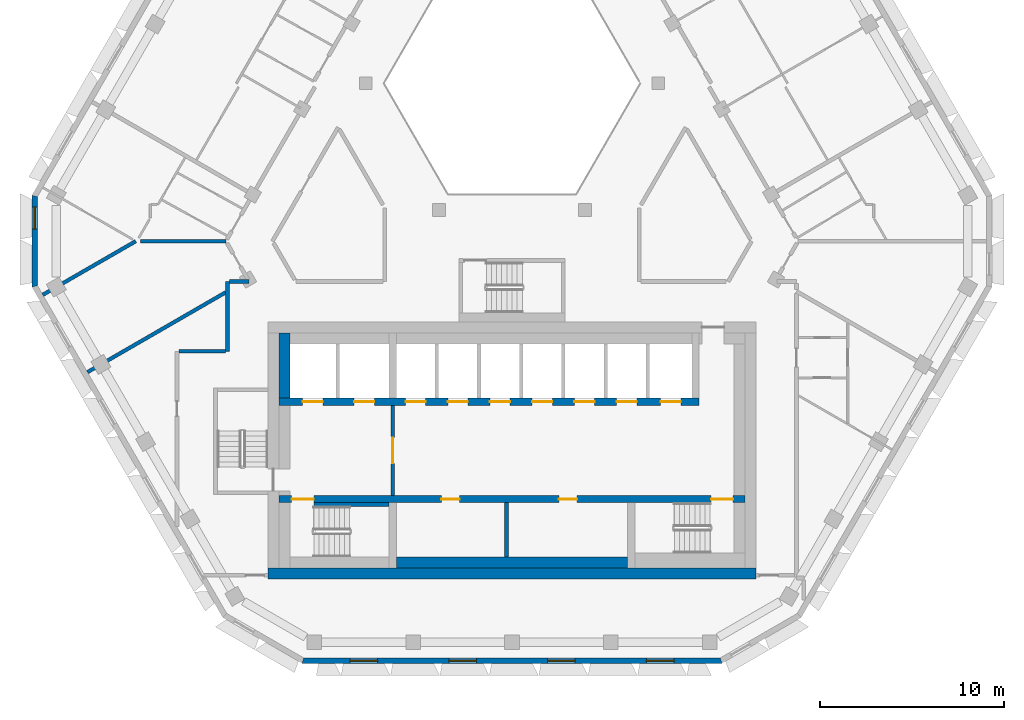
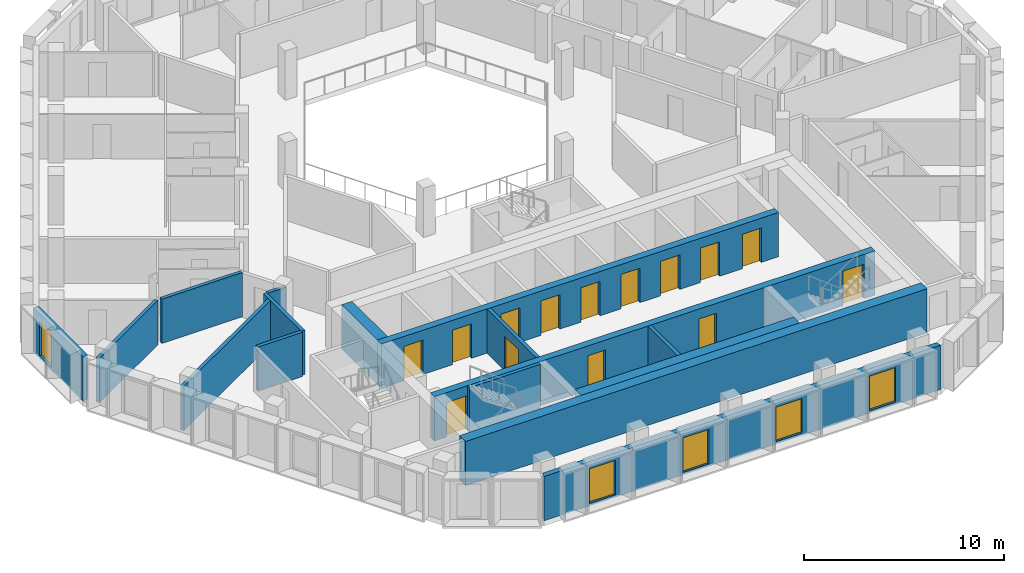
# One storey, part 3 of 14: 16 walls, 14 doors, 5 windows, 19 openings.
"""IFC4 building model written with IfcOpenShell, lengths in metres."""

from ifc_helpers import new_model, si_unit, direction, frame, frame_2d, origin, place, context, subcontext, project, spatial, polyline, rectangle, outline, extrude, material, layer, layer_set, type_object, element, fill, save


model = new_model("IFC4")

# Units and contexts
model_context = context("Model", 3, precision=1e-05, world=origin(), true_north=direction((0.0, 1.0)))
body_context = subcontext(model_context, "Body", "Model", "MODEL_VIEW")
ifc_project = project(units=[si_unit("LENGTHUNIT", "METRE"), si_unit("AREAUNIT", "SQUARE_METRE"), si_unit("VOLUMEUNIT", "CUBIC_METRE"), si_unit("PLANEANGLEUNIT", "RADIAN"), si_unit("MASSUNIT", "GRAM", prefix="KILO")], contexts=[model_context])

# Site, building, storey
site_placement = place(None, origin())
site = spatial("IfcSite", under=ifc_project, at=site_placement, CompositionType="ELEMENT")
building_placement = place(site_placement, origin())
building = spatial("IfcBuilding", under=site, at=building_placement, Name="Beryl Residences", CompositionType="ELEMENT")
storey_placement = place(building_placement, frame((0.0, 0.0, 181.199951171875)))
storey = spatial("IfcBuildingStorey", under=building, at=storey_placement, Name="L55", CompositionType="ELEMENT", Elevation=181.199951171875)

# Wall, opening, window
ifc_material_1 = material(Name="Composite metal panel with mineral wool insulation")
ifc_layer_1 = layer(ifc_material_1, 0.300048828125)
ifc_layer_set_1 = layer_set([ifc_layer_1], Name="ES1 pale metal composite panel wall 300 mm")
wall_type_1 = type_object("IfcWallType", Name="ES1 pale metal composite panel wall 300 mm", PredefinedType="SOLIDWALL", material=ifc_layer_set_1)
wall_1_placement = place(storey_placement, frame((-26.00390625, 1.89990234375, 0.0), z_axis=(0.0, 0.0, 1.0), x_axis=(0.0, -1.0, 0.0)))
wall_1 = element("IfcWall", 1, at=wall_1_placement, inside=storey, type_object=wall_type_1, Name="ES1 external wall L55 NW-SW", PredefinedType="SOLIDWALL", context=body_context, shape_type="SweptSolid", body=[
    extrude(outline(polyline([(0.0, -0.14990234375), (5.0, -0.14990234375), (4.919677734375, 0.14990234375), (0.080322265625, 0.14990234375), (0.0, -0.14990234375)])), origin(), (0.0, 0.0, 1.0), 2.699951171875),
])
opening_1_placement = place(wall_1_placement, frame((0.64990234375, 0.0, 0.14990234375)))
opening_1 = element("IfcOpeningElement", 2, at=opening_1_placement, cuts=wall_1, Name="Opening W2", PredefinedType="OPENING", context=body_context, shape_type="SweptSolid", body=[
    extrude(rectangle(XDim=1.199951171875, YDim=2.10009765625, at=frame_2d((0.60009765625, 1.050048828125))), frame((0.0, 0.159912109375, 0.0), z_axis=(0.0, -1.0, 0.0), x_axis=(1.0, 0.0, 0.0)), (0.0, 0.0, 1.0), 0.320068359375),
])
ifc_material_2 = material(Name="Aluminium and clear glass", Category="aluminium")
window_type_1 = type_object("IfcWindowType", Name="W2 chamfer window 1200 x 2100 mm", PartitioningType="SINGLE_PANEL", PredefinedType="WINDOW", material=ifc_material_2)
window_1_placement = place(opening_1_placement, origin())
window_1 = element("IfcWindow", 3, at=window_1_placement, inside=storey, type_object=window_type_1, Name="W2 window L55 NW-SW 1", OverallHeight=2.10009765625, OverallWidth=1.199951171875, PartitioningType="SINGLE_PANEL", PredefinedType="WINDOW", context=body_context, shape_type="SweptSolid", body=[
    extrude(rectangle(XDim=1.199951171875, YDim=2.10009765625, at=frame_2d((0.60009765625, 1.050048828125))), frame((0.0, 0.030029296875, 0.0), z_axis=(0.0, -1.0, 0.0), x_axis=(1.0, 0.0, 0.0)), (0.0, 0.0, 1.0), 0.06005859375),
])
fill(opening_1, window_1)

# Wall, openings, windows
wall_2_placement = place(storey_placement, frame((-11.430908203125, -23.449951171875, 0.0), z_axis=(0.0, 0.0, 1.0), x_axis=(1.0, 0.0, 0.0)))
wall_2 = element("IfcWall", 4, at=wall_2_placement, inside=storey, type_object=wall_type_1, Name="ES1 external wall L55 S", PredefinedType="SOLIDWALL", context=body_context, shape_type="SweptSolid", body=[
    extrude(outline(polyline([(0.0, -0.14990234375), (22.86181640625, -0.14990234375), (22.781494140625, 0.14990234375), (0.080322265625, 0.14990234375), (0.0, -0.14990234375)])), origin(), (0.0, 0.0, 1.0), 2.699951171875),
])
opening_2_placement = place(wall_2_placement, frame((2.60595703125, 0.0, 0.14990234375)))
opening_2 = element("IfcOpeningElement", 5, at=opening_2_placement, cuts=wall_2, Name="Opening W1", PredefinedType="OPENING", context=body_context, shape_type="SweptSolid", body=[
    extrude(rectangle(XDim=1.5, YDim=2.10009765625, at=frame_2d((0.75, 1.050048828125))), frame((0.0, 0.159912109375, 0.0), z_axis=(0.0, -1.0, 0.0), x_axis=(1.0, 0.0, 0.0)), (0.0, 0.0, 1.0), 0.320068359375),
])
opening_3_placement = place(wall_2_placement, frame((7.989990234375, 0.0, 0.14990234375)))
opening_3 = element("IfcOpeningElement", 6, at=opening_3_placement, cuts=wall_2, Name="Opening W1", PredefinedType="OPENING", context=body_context, shape_type="SweptSolid", body=[
    extrude(rectangle(XDim=1.5, YDim=2.10009765625, at=frame_2d((0.75, 1.050048828125))), frame((0.0, 0.159912109375, 0.0), z_axis=(0.0, -1.0, 0.0), x_axis=(1.0, 0.0, 0.0)), (0.0, 0.0, 1.0), 0.320068359375),
])
opening_4_placement = place(wall_2_placement, frame((13.3740234375, 0.0, 0.14990234375)))
opening_4 = element("IfcOpeningElement", 7, at=opening_4_placement, cuts=wall_2, Name="Opening W1", PredefinedType="OPENING", context=body_context, shape_type="SweptSolid", body=[
    extrude(rectangle(XDim=1.5, YDim=2.10009765625, at=frame_2d((0.75, 1.050048828125))), frame((0.0, 0.159912109375, 0.0), z_axis=(0.0, -1.0, 0.0), x_axis=(1.0, 0.0, 0.0)), (0.0, 0.0, 1.0), 0.320068359375),
])
opening_5_placement = place(wall_2_placement, frame((18.758056640625, 0.0, 0.14990234375)))
opening_5 = element("IfcOpeningElement", 8, at=opening_5_placement, cuts=wall_2, Name="Opening W1", PredefinedType="OPENING", context=body_context, shape_type="SweptSolid", body=[
    extrude(rectangle(XDim=1.5, YDim=2.10009765625, at=frame_2d((0.75, 1.050048828125))), frame((0.0, 0.159912109375, 0.0), z_axis=(0.0, -1.0, 0.0), x_axis=(1.0, 0.0, 0.0)), (0.0, 0.0, 1.0), 0.320068359375),
])
ifc_material_3 = material(Name="Aluminium and clear glass", Category="aluminium")
window_type_2 = type_object("IfcWindowType", Name="W1 cell window 1500 x 2100 mm", PartitioningType="SINGLE_PANEL", PredefinedType="WINDOW", material=ifc_material_3)
window_2_placement = place(opening_2_placement, origin())
window_2 = element("IfcWindow", 9, at=window_2_placement, inside=storey, type_object=window_type_2, Name="W1 window L55 S 2", OverallHeight=2.10009765625, OverallWidth=1.5, PartitioningType="SINGLE_PANEL", PredefinedType="WINDOW", context=body_context, shape_type="SweptSolid", body=[
    extrude(rectangle(XDim=1.5, YDim=2.10009765625, at=frame_2d((0.75, 1.050048828125))), frame((0.0, 0.030029296875, 0.0), z_axis=(0.0, -1.0, 0.0), x_axis=(1.0, 0.0, 0.0)), (0.0, 0.0, 1.0), 0.06005859375),
])
fill(opening_2, window_2)
window_3_placement = place(opening_3_placement, origin())
window_3 = element("IfcWindow", 10, at=window_3_placement, inside=storey, type_object=window_type_2, Name="W1 window L55 S 4", OverallHeight=2.10009765625, OverallWidth=1.5, PartitioningType="SINGLE_PANEL", PredefinedType="WINDOW", context=body_context, shape_type="SweptSolid", body=[
    extrude(rectangle(XDim=1.5, YDim=2.10009765625, at=frame_2d((0.75, 1.050048828125))), frame((0.0, 0.030029296875, 0.0), z_axis=(0.0, -1.0, 0.0), x_axis=(1.0, 0.0, 0.0)), (0.0, 0.0, 1.0), 0.06005859375),
])
fill(opening_3, window_3)
window_4_placement = place(opening_4_placement, origin())
window_4 = element("IfcWindow", 11, at=window_4_placement, inside=storey, type_object=window_type_2, Name="W1 window L55 S 6", OverallHeight=2.10009765625, OverallWidth=1.5, PartitioningType="SINGLE_PANEL", PredefinedType="WINDOW", context=body_context, shape_type="SweptSolid", body=[
    extrude(rectangle(XDim=1.5, YDim=2.10009765625, at=frame_2d((0.75, 1.050048828125))), frame((0.0, 0.030029296875, 0.0), z_axis=(0.0, -1.0, 0.0), x_axis=(1.0, 0.0, 0.0)), (0.0, 0.0, 1.0), 0.06005859375),
])
fill(opening_4, window_4)
window_5_placement = place(opening_5_placement, origin())
window_5 = element("IfcWindow", 12, at=window_5_placement, inside=storey, type_object=window_type_2, Name="W1 window L55 S 8", OverallHeight=2.10009765625, OverallWidth=1.5, PartitioningType="SINGLE_PANEL", PredefinedType="WINDOW", context=body_context, shape_type="SweptSolid", body=[
    extrude(rectangle(XDim=1.5, YDim=2.10009765625, at=frame_2d((0.75, 1.050048828125))), frame((0.0, 0.030029296875, 0.0), z_axis=(0.0, -1.0, 0.0), x_axis=(1.0, 0.0, 0.0)), (0.0, 0.0, 1.0), 0.06005859375),
])
fill(opening_5, window_5)

# Wall, opening, door
ifc_material_4 = material(Name="Concrete masonry", Category="masonry")
ifc_layer_2 = layer(ifc_material_4, 0.199951171875)
ifc_layer_set_2 = layer_set([ifc_layer_2], Name="PT13 lobby wall 200 mm")
wall_type_2 = type_object("IfcWallType", Name="PT13 lobby wall 200 mm", PredefinedType="PARTITIONING", material=ifc_layer_set_2)
wall_3_placement = place(storey_placement, frame((-6.5, -14.449951171875, 0.0), z_axis=(0.0, 0.0, 1.0), x_axis=(0.0, 1.0, 0.0)))
wall_3 = element("IfcWall", 13, at=wall_3_placement, inside=storey, type_object=wall_type_2, Name="Lobby wall 12", PredefinedType="PARTITIONING", context=body_context, shape_type="SweptSolid", body=[
    extrude(rectangle(XDim=4.89990234375, YDim=0.199951171875, at=frame_2d((2.449951171875, 0.0))), origin(), (0.0, 0.0, 1.0), 2.699951171875),
])
opening_6_placement = place(wall_3_placement, frame((3.14990234375, 0.0, 0.0), z_axis=(0.0, 0.0, 1.0), x_axis=(-1.0, 0.0, 0.0)))
opening_6 = element("IfcOpeningElement", 14, at=opening_6_placement, cuts=wall_3, Name="Opening FD-FFL", PredefinedType="OPENING", context=body_context, shape_type="SweptSolid", body=[
    extrude(rectangle(XDim=1.39990234375, YDim=2.10009765625, at=frame_2d((0.699951171875, 1.050048828125))), frame((0.0, 0.10986328125, 0.0), z_axis=(0.0, -1.0, 0.0), x_axis=(1.0, 0.0, 0.0)), (0.0, 0.0, 1.0), 0.219970703125),
])
ifc_material_5 = material(Name="Steel door leaf in steel frame", Category="steel")
door_type_1 = type_object("IfcDoorType", Name="D5 lobby door 1400 x 2100 mm", OperationType="DOUBLE_DOOR_SINGLE_SWING", PredefinedType="DOOR", material=ifc_material_5)
door_1_placement = place(opening_6_placement, origin())
door_1 = element("IfcDoor", 15, at=door_1_placement, inside=storey, type_object=door_type_1, Name="Door FD-FFL L55 001", OperationType="DOUBLE_DOOR_SINGLE_SWING", OverallHeight=2.10009765625, OverallWidth=1.39990234375, PredefinedType="DOOR", context=body_context, shape_type="SweptSolid", body=[
    extrude(rectangle(XDim=1.39990234375, YDim=2.10009765625, at=frame_2d((0.699951171875, 1.050048828125))), frame((0.0, 0.02490234375, 0.0), z_axis=(0.0, -1.0, 0.0), x_axis=(1.0, 0.0, 0.0)), (0.0, 0.0, 1.0), 0.050048828125),
])
fill(opening_6, door_1)

# Walls
ifc_material_6 = material(Name="Acoustic double stud gypsum board wall")
ifc_layer_3 = layer(ifc_material_6, 0.199951171875)
ifc_layer_set_3 = layer_set([ifc_layer_3], Name="PT3 party wall 200 mm acoustic double stud")
wall_type_3 = type_object("IfcWallType", Name="PT3 party wall 200 mm acoustic double stud", PredefinedType="PARTITIONING", material=ifc_layer_set_3)
wall_4_placement = place(storey_placement, frame((-20.238037109375, -0.60107421875, 0.0), z_axis=(0.0, 0.0, 1.0), x_axis=(1.0, 0.0, 0.0)))
element("IfcWall", 16, at=wall_4_placement, inside=storey, type_object=wall_type_3, Name="Wall PT3 L55 005", PredefinedType="PARTITIONING", context=body_context, shape_type="SweptSolid", body=[
    extrude(rectangle(XDim=4.650146484375, YDim=0.199951171875, at=frame_2d((2.3251953125, 0.0))), origin(), (0.0, 0.0, 1.0), 2.699951171875),
])
wall_5_placement = place(storey_placement, frame((-23.1298828125, -7.737060546875, 0.0), z_axis=(0.0, 0.0, 1.0), x_axis=(0.86598451299, 0.500070818246, 0.0)))
element("IfcWall", 17, at=wall_5_placement, inside=storey, type_object=wall_type_3, Name="Wall PT3 L55 011", PredefinedType="PARTITIONING", context=body_context, shape_type="SweptSolid", body=[
    extrude(rectangle(XDim=8.695068359375, YDim=0.199951171875, at=frame_2d((4.34765625, 0.0))), origin(), (0.0, 0.0, 1.0), 2.699951171875),
])
wall_6_placement = place(storey_placement, frame((-25.56298828125, -3.52392578125, 0.0), z_axis=(0.0, 0.0, 1.0), x_axis=(0.866128586522, 0.499821239653, 0.0)))
element("IfcWall", 18, at=wall_6_placement, inside=storey, type_object=wall_type_3, Name="Wall PT3 L55 012", PredefinedType="PARTITIONING", context=body_context, shape_type="SweptSolid", body=[
    extrude(rectangle(XDim=5.847900390625, YDim=0.199951171875, at=frame_2d((2.923828125, 0.0))), origin(), (0.0, 0.0, 1.0), 2.699951171875),
])
ifc_material_7 = material(Name="Double stud gypsum board wall")
ifc_layer_4 = layer(ifc_material_7, 0.199951171875)
ifc_layer_set_4 = layer_set([ifc_layer_4], Name="PT4 corridor wall 200 mm double stud")
wall_type_4 = type_object("IfcWallType", Name="PT4 corridor wall 200 mm double stud", PredefinedType="PARTITIONING", material=ifc_layer_set_4)
wall_7_placement = place(storey_placement, frame((-18.14892578125, -6.60009765625, 0.0), z_axis=(0.0, 0.0, 1.0), x_axis=(1.0, 0.0, 0.0)))
element("IfcWall", 19, at=wall_7_placement, inside=storey, type_object=wall_type_4, Name="Wall PT4 L55 008", PredefinedType="PARTITIONING", context=body_context, shape_type="SweptSolid", body=[
    extrude(rectangle(XDim=2.548828125, YDim=0.199951171875, at=frame_2d((1.2744140625, 0.0))), origin(), (0.0, 0.0, 1.0), 2.699951171875),
])
wall_8_placement = place(storey_placement, frame((-15.39892578125, -2.800048828125, 0.0), z_axis=(0.0, 0.0, 1.0), x_axis=(1.0, 0.0, 0.0)))
element("IfcWall", 20, at=wall_8_placement, inside=storey, type_object=wall_type_4, Name="Wall PT4 L55 010", PredefinedType="PARTITIONING", context=body_context, shape_type="SweptSolid", body=[
    extrude(rectangle(XDim=1.080810546875, YDim=0.199951171875, at=frame_2d((0.54052734375, 0.0))), origin(), (0.0, 0.0, 1.0), 2.699951171875),
])
wall_9_placement = place(storey_placement, frame((-15.5, -6.60009765625, 0.0), z_axis=(0.0, 0.0, 1.0), x_axis=(0.0, 1.0, 0.0)))
element("IfcWall", 21, at=wall_9_placement, inside=storey, type_object=wall_type_4, Name="Wall PT4 L55 024", PredefinedType="PARTITIONING", context=body_context, shape_type="SweptSolid", body=[
    extrude(rectangle(XDim=3.799072265625, YDim=0.199951171875, at=frame_2d((1.8994140625, 0.0))), origin(), (0.0, 0.0, 1.0), 2.699951171875),
])
ifc_material_8 = material(Name="Concrete C40/50", Category="concrete")
ifc_layer_5 = layer(ifc_material_8, 0.199951171875)
ifc_layer_set_5 = layer_set([ifc_layer_5], Name="PT5 stair enclosure wall 200 mm reinforced concrete C40/50")
wall_type_5 = type_object("IfcWallType", Name="PT5 stair enclosure wall 200 mm reinforced concrete C40/50", PredefinedType="SOLIDWALL", material=ifc_layer_set_5)
wall_10_placement = place(storey_placement, frame((-10.800048828125, -14.949951171875, 0.0), z_axis=(0.0, 0.0, 1.0), x_axis=(1.0, 0.0, 0.0)))
element("IfcWall", 22, at=wall_10_placement, inside=storey, type_object=wall_type_5, Name="Stair wall 10", PredefinedType="SOLIDWALL", context=body_context, shape_type="SweptSolid", body=[
    extrude(rectangle(XDim=4.10009765625, YDim=0.199951171875, at=frame_2d((2.050048828125, 0.0))), origin(), (0.0, 0.0, 1.0), 2.699951171875),
])
ifc_material_9 = material(Name="Concrete C40/50", Category="concrete")
ifc_layer_6 = layer(ifc_material_9, 0.60009765625)
ifc_layer_set_6 = layer_set([ifc_layer_6], Name="PT6-600 lift shaft wall 600 mm")
wall_type_6 = type_object("IfcWallType", Name="PT6-600 lift shaft wall 600 mm", PredefinedType="SOLIDWALL", material=ifc_layer_set_6)
wall_11_placement = place(storey_placement, frame((-12.39990234375, -9.14990234375, 0.0), z_axis=(0.0, 0.0, 1.0), x_axis=(0.0, 1.0, 0.0)))
element("IfcWall", 23, at=wall_11_placement, inside=storey, type_object=wall_type_6, Name="Lift shaft wall 07", PredefinedType="SOLIDWALL", context=body_context, shape_type="SweptSolid", body=[
    extrude(rectangle(XDim=3.5498046875, YDim=0.60009765625, at=frame_2d((1.77490234375, 0.0))), origin(), (0.0, 0.0, 1.0), 2.699951171875),
])
ifc_material_10 = material(Name="Concrete masonry", Category="masonry")
ifc_layer_7 = layer(ifc_material_10, 0.199951171875)
ifc_layer_set_7 = layer_set([ifc_layer_7], Name="PT8-200 service room wall 200 mm")
wall_type_7 = type_object("IfcWallType", Name="PT8-200 service room wall 200 mm", PredefinedType="PARTITIONING", material=ifc_layer_set_7)
wall_12_placement = place(storey_placement, frame((-0.300048828125, -17.800048828125, 0.0), z_axis=(0.0, 0.0, 1.0), x_axis=(0.0, 1.0, 0.0)))
element("IfcWall", 24, at=wall_12_placement, inside=storey, type_object=wall_type_7, Name="Core room wall 17", PredefinedType="PARTITIONING", context=body_context, shape_type="SweptSolid", body=[
    extrude(rectangle(XDim=2.949951171875, YDim=0.199951171875, at=frame_2d((1.47509765625, 0.0))), origin(), (0.0, 0.0, 1.0), 2.699951171875),
])
ifc_material_11 = material(Name="Concrete masonry", Category="masonry")
ifc_layer_8 = layer(ifc_material_11, 0.60009765625)
ifc_layer_set_8 = layer_set([ifc_layer_8], Name="PT8-600 service room wall 600 mm")
wall_type_8 = type_object("IfcWallType", Name="PT8-600 service room wall 600 mm", PredefinedType="PARTITIONING", material=ifc_layer_set_8)
wall_13_placement = place(storey_placement, frame((-6.300048828125, -18.10009765625, 0.0), z_axis=(0.0, 0.0, 1.0), x_axis=(1.0, 0.0, 0.0)))
element("IfcWall", 25, at=wall_13_placement, inside=storey, type_object=wall_type_8, Name="Core room wall 13", PredefinedType="PARTITIONING", context=body_context, shape_type="SweptSolid", body=[
    extrude(rectangle(XDim=12.60009765625, YDim=0.60009765625, at=frame_2d((6.300048828125, 0.0))), origin(), (0.0, 0.0, 1.0), 2.699951171875),
])
ifc_material_12 = material(Name="Concrete C50/60", Category="concrete")
ifc_layer_9 = layer(ifc_material_12, 0.60009765625)
ifc_layer_set_9 = layer_set([ifc_layer_9], Name="SW4 core outer wall 600 mm C50/60")
wall_type_9 = type_object("IfcWallType", Name="SW4 core outer wall 600 mm C50/60", PredefinedType="SHEAR", material=ifc_layer_set_9)
wall_14_placement = place(storey_placement, frame((-13.300048828125, -18.699951171875, 0.0), z_axis=(0.0, 0.0, 1.0), x_axis=(1.0, 0.0, 0.0)))
element("IfcWall", 26, at=wall_14_placement, inside=storey, type_object=wall_type_9, Name="Core wall S L55", PredefinedType="SHEAR", context=body_context, shape_type="SweptSolid", body=[
    extrude(rectangle(XDim=26.60009765625, YDim=0.60009765625, at=frame_2d((13.300048828125, 0.0))), origin(), (0.0, 0.0, 1.0), 2.699951171875),
])

# Wall, openings, doors
ifc_material_13 = material(Name="Concrete C50/60", Category="concrete")
ifc_layer_10 = layer(ifc_material_13, 0.39990234375)
ifc_layer_set_10 = layer_set([ifc_layer_10], Name="SW9 core internal wall 400 mm C50/60")
wall_type_10 = type_object("IfcWallType", Name="SW9 core internal wall 400 mm C50/60", PredefinedType="SHEAR", material=ifc_layer_set_10)
wall_15_placement = place(storey_placement, frame((-12.699951171875, -14.64990234375, 0.0), z_axis=(0.0, 0.0, 1.0), x_axis=(1.0, 0.0, 0.0)))
wall_15 = element("IfcWall", 27, at=wall_15_placement, inside=storey, type_object=wall_type_10, Name="Core wall SP1 L55", PredefinedType="SHEAR", context=body_context, shape_type="SweptSolid", body=[
    extrude(rectangle(XDim=25.39990234375, YDim=0.39990234375, at=frame_2d((12.699951171875, 0.0))), origin(), (0.0, 0.0, 1.0), 2.699951171875),
])
opening_7_placement = place(wall_15_placement, frame((1.89990234375, 0.0, 0.0), z_axis=(0.0, 0.0, 1.0), x_axis=(-1.0, 0.0, 0.0)))
opening_7 = element("IfcOpeningElement", 28, at=opening_7_placement, cuts=wall_15, Name="Opening SD-1", PredefinedType="OPENING", context=body_context, shape_type="SweptSolid", body=[
    extrude(rectangle(XDim=1.199951171875, YDim=2.10009765625, at=frame_2d((0.60009765625, 1.050048828125))), frame((0.0, 0.2099609375, 0.0), z_axis=(0.0, -1.0, 0.0), x_axis=(1.0, 0.0, 0.0)), (0.0, 0.0, 1.0), 0.419921875),
])
opening_8_placement = place(wall_15_placement, frame((24.75, 0.0, 0.0), z_axis=(0.0, 0.0, 1.0), x_axis=(-1.0, 0.0, 0.0)))
opening_8 = element("IfcOpeningElement", 29, at=opening_8_placement, cuts=wall_15, Name="Opening SD-3", PredefinedType="OPENING", context=body_context, shape_type="SweptSolid", body=[
    extrude(rectangle(XDim=1.199951171875, YDim=2.10009765625, at=frame_2d((0.60009765625, 1.050048828125))), frame((0.0, 0.2099609375, 0.0), z_axis=(0.0, -1.0, 0.0), x_axis=(1.0, 0.0, 0.0)), (0.0, 0.0, 1.0), 0.419921875),
])
opening_9_placement = place(wall_15_placement, frame((9.85009765625, 0.0, 0.0), z_axis=(0.0, 0.0, 1.0), x_axis=(-1.0, 0.0, 0.0)))
opening_9 = element("IfcOpeningElement", 30, at=opening_9_placement, cuts=wall_15, Name="Opening CD-D-S1", PredefinedType="OPENING", context=body_context, shape_type="SweptSolid", body=[
    extrude(rectangle(XDim=1.0, YDim=2.10009765625, at=frame_2d((0.5, 1.050048828125))), frame((0.0, 0.2099609375, 0.0), z_axis=(0.0, -1.0, 0.0), x_axis=(1.0, 0.0, 0.0)), (0.0, 0.0, 1.0), 0.419921875),
])
opening_10_placement = place(wall_15_placement, frame((16.25, 0.0, 0.0), z_axis=(0.0, 0.0, 1.0), x_axis=(-1.0, 0.0, 0.0)))
opening_10 = element("IfcOpeningElement", 31, at=opening_10_placement, cuts=wall_15, Name="Opening CD-D-S2", PredefinedType="OPENING", context=body_context, shape_type="SweptSolid", body=[
    extrude(rectangle(XDim=1.0, YDim=2.10009765625, at=frame_2d((0.5, 1.050048828125))), frame((0.0, 0.2099609375, 0.0), z_axis=(0.0, -1.0, 0.0), x_axis=(1.0, 0.0, 0.0)), (0.0, 0.0, 1.0), 0.419921875),
])
ifc_material_14 = material(Name="Steel door leaf in steel frame", Category="steel")
door_type_2 = type_object("IfcDoorType", Name="D18 service room door 1000 x 2100 mm", OperationType="SINGLE_SWING_LEFT", PredefinedType="DOOR", material=ifc_material_14)
door_2_placement = place(opening_9_placement, origin())
door_2 = element("IfcDoor", 32, at=door_2_placement, inside=storey, type_object=door_type_2, Name="Door CD-D-S1 L55 001", OperationType="SINGLE_SWING_RIGHT", OverallHeight=2.10009765625, OverallWidth=1.0, PredefinedType="DOOR", context=body_context, shape_type="SweptSolid", body=[
    extrude(rectangle(XDim=1.0, YDim=2.10009765625, at=frame_2d((0.5, 1.050048828125))), frame((0.0, 0.02490234375, 0.0), z_axis=(0.0, -1.0, 0.0), x_axis=(1.0, 0.0, 0.0)), (0.0, 0.0, 1.0), 0.050048828125),
])
fill(opening_9, door_2)
door_3_placement = place(opening_10_placement, origin())
door_3 = element("IfcDoor", 33, at=door_3_placement, inside=storey, type_object=door_type_2, Name="Door CD-D-S2 L55 001", OperationType="SINGLE_SWING_LEFT", OverallHeight=2.10009765625, OverallWidth=1.0, PredefinedType="DOOR", context=body_context, shape_type="SweptSolid", body=[
    extrude(rectangle(XDim=1.0, YDim=2.10009765625, at=frame_2d((0.5, 1.050048828125))), frame((0.0, 0.02490234375, 0.0), z_axis=(0.0, -1.0, 0.0), x_axis=(1.0, 0.0, 0.0)), (0.0, 0.0, 1.0), 0.050048828125),
])
fill(opening_10, door_3)
ifc_material_15 = material(Name="Steel door leaf in steel frame", Category="steel")
door_type_3 = type_object("IfcDoorType", Name="D4 stair door 1200 x 2100 mm", OperationType="SINGLE_SWING_LEFT", PredefinedType="DOOR", material=ifc_material_15)
door_4_placement = place(opening_7_placement, origin())
door_4 = element("IfcDoor", 34, at=door_4_placement, inside=storey, type_object=door_type_3, Name="Door SD-1 L55 001", OperationType="SINGLE_SWING_RIGHT", OverallHeight=2.10009765625, OverallWidth=1.199951171875, PredefinedType="DOOR", context=body_context, shape_type="SweptSolid", body=[
    extrude(rectangle(XDim=1.199951171875, YDim=2.10009765625, at=frame_2d((0.60009765625, 1.050048828125))), frame((0.0, 0.02490234375, 0.0), z_axis=(0.0, -1.0, 0.0), x_axis=(1.0, 0.0, 0.0)), (0.0, 0.0, 1.0), 0.050048828125),
])
fill(opening_7, door_4)
door_5_placement = place(opening_8_placement, origin())
door_5 = element("IfcDoor", 35, at=door_5_placement, inside=storey, type_object=door_type_3, Name="Door SD-3 L55 001", OperationType="SINGLE_SWING_RIGHT", OverallHeight=2.10009765625, OverallWidth=1.199951171875, PredefinedType="DOOR", context=body_context, shape_type="SweptSolid", body=[
    extrude(rectangle(XDim=1.199951171875, YDim=2.10009765625, at=frame_2d((0.60009765625, 1.050048828125))), frame((0.0, 0.02490234375, 0.0), z_axis=(0.0, -1.0, 0.0), x_axis=(1.0, 0.0, 0.0)), (0.0, 0.0, 1.0), 0.050048828125),
])
fill(opening_8, door_5)

wall_16_placement = place(storey_placement, frame((-12.699951171875, -9.35009765625, 0.0), z_axis=(0.0, 0.0, 1.0), x_axis=(1.0, 0.0, 0.0)))
wall_16 = element("IfcWall", 36, at=wall_16_placement, inside=storey, type_object=wall_type_10, Name="Core wall SP2 L55", PredefinedType="SHEAR", context=body_context, shape_type="SweptSolid", body=[
    extrude(rectangle(XDim=22.89990234375, YDim=0.39990234375, at=frame_2d((11.449951171875, 0.0))), origin(), (0.0, 0.0, 1.0), 2.699951171875),
])
opening_11_placement = place(wall_16_placement, frame((1.300048828125, 0.0, 0.0)))
opening_11 = element("IfcOpeningElement", 37, at=opening_11_placement, cuts=wall_16, Name="Opening LD-FF1", PredefinedType="OPENING", context=body_context, shape_type="SweptSolid", body=[
    extrude(rectangle(XDim=1.10009765625, YDim=2.10009765625, at=frame_2d((0.550048828125, 1.050048828125))), frame((0.0, 0.2099609375, 0.0), z_axis=(0.0, -1.0, 0.0), x_axis=(1.0, 0.0, 0.0)), (0.0, 0.0, 1.0), 0.419921875),
])
opening_12_placement = place(wall_16_placement, frame((4.10009765625, 0.0, 0.0)))
opening_12 = element("IfcOpeningElement", 38, at=opening_12_placement, cuts=wall_16, Name="Opening LD-FF2", PredefinedType="OPENING", context=body_context, shape_type="SweptSolid", body=[
    extrude(rectangle(XDim=1.10009765625, YDim=2.10009765625, at=frame_2d((0.550048828125, 1.050048828125))), frame((0.0, 0.2099609375, 0.0), z_axis=(0.0, -1.0, 0.0), x_axis=(1.0, 0.0, 0.0)), (0.0, 0.0, 1.0), 0.419921875),
])
opening_13_placement = place(wall_16_placement, frame((6.89990234375, 0.0, 0.0)))
opening_13 = element("IfcOpeningElement", 39, at=opening_13_placement, cuts=wall_16, Name="Opening LD-HR1", PredefinedType="OPENING", context=body_context, shape_type="SweptSolid", body=[
    extrude(rectangle(XDim=1.10009765625, YDim=2.10009765625, at=frame_2d((0.550048828125, 1.050048828125))), frame((0.0, 0.2099609375, 0.0), z_axis=(0.0, -1.0, 0.0), x_axis=(1.0, 0.0, 0.0)), (0.0, 0.0, 1.0), 0.419921875),
])
opening_14_placement = place(wall_16_placement, frame((9.199951171875, 0.0, 0.0)))
opening_14 = element("IfcOpeningElement", 40, at=opening_14_placement, cuts=wall_16, Name="Opening LD-HR2", PredefinedType="OPENING", context=body_context, shape_type="SweptSolid", body=[
    extrude(rectangle(XDim=1.10009765625, YDim=2.10009765625, at=frame_2d((0.550048828125, 1.050048828125))), frame((0.0, 0.2099609375, 0.0), z_axis=(0.0, -1.0, 0.0), x_axis=(1.0, 0.0, 0.0)), (0.0, 0.0, 1.0), 0.419921875),
])
opening_15_placement = place(wall_16_placement, frame((11.5, 0.0, 0.0)))
opening_15 = element("IfcOpeningElement", 41, at=opening_15_placement, cuts=wall_16, Name="Opening LD-HR3", PredefinedType="OPENING", context=body_context, shape_type="SweptSolid", body=[
    extrude(rectangle(XDim=1.10009765625, YDim=2.10009765625, at=frame_2d((0.550048828125, 1.050048828125))), frame((0.0, 0.2099609375, 0.0), z_axis=(0.0, -1.0, 0.0), x_axis=(1.0, 0.0, 0.0)), (0.0, 0.0, 1.0), 0.419921875),
])
opening_16_placement = place(wall_16_placement, frame((13.800048828125, 0.0, 0.0)))
opening_16 = element("IfcOpeningElement", 42, at=opening_16_placement, cuts=wall_16, Name="Opening LD-HR4", PredefinedType="OPENING", context=body_context, shape_type="SweptSolid", body=[
    extrude(rectangle(XDim=1.10009765625, YDim=2.10009765625, at=frame_2d((0.550048828125, 1.050048828125))), frame((0.0, 0.2099609375, 0.0), z_axis=(0.0, -1.0, 0.0), x_axis=(1.0, 0.0, 0.0)), (0.0, 0.0, 1.0), 0.419921875),
])
opening_17_placement = place(wall_16_placement, frame((16.10009765625, 0.0, 0.0)))
opening_17 = element("IfcOpeningElement", 43, at=opening_17_placement, cuts=wall_16, Name="Opening LD-HR5", PredefinedType="OPENING", context=body_context, shape_type="SweptSolid", body=[
    extrude(rectangle(XDim=1.10009765625, YDim=2.10009765625, at=frame_2d((0.550048828125, 1.050048828125))), frame((0.0, 0.2099609375, 0.0), z_axis=(0.0, -1.0, 0.0), x_axis=(1.0, 0.0, 0.0)), (0.0, 0.0, 1.0), 0.419921875),
])
opening_18_placement = place(wall_16_placement, frame((18.39990234375, 0.0, 0.0)))
opening_18 = element("IfcOpeningElement", 44, at=opening_18_placement, cuts=wall_16, Name="Opening LD-HR6", PredefinedType="OPENING", context=body_context, shape_type="SweptSolid", body=[
    extrude(rectangle(XDim=1.10009765625, YDim=2.10009765625, at=frame_2d((0.550048828125, 1.050048828125))), frame((0.0, 0.2099609375, 0.0), z_axis=(0.0, -1.0, 0.0), x_axis=(1.0, 0.0, 0.0)), (0.0, 0.0, 1.0), 0.419921875),
])
opening_19_placement = place(wall_16_placement, frame((20.800048828125, 0.0, 0.0)))
opening_19 = element("IfcOpeningElement", 45, at=opening_19_placement, cuts=wall_16, Name="Opening LD-SL1", PredefinedType="OPENING", context=body_context, shape_type="SweptSolid", body=[
    extrude(rectangle(XDim=1.10009765625, YDim=2.10009765625, at=frame_2d((0.550048828125, 1.050048828125))), frame((0.0, 0.2099609375, 0.0), z_axis=(0.0, -1.0, 0.0), x_axis=(1.0, 0.0, 0.0)), (0.0, 0.0, 1.0), 0.419921875),
])
ifc_material_16 = material(Name="Stainless steel sliding door", Category="steel")
door_type_4 = type_object("IfcDoorType", Name="LD1 lift landing door 1100 x 2100 mm", OperationType="DOUBLE_DOOR_SLIDING", PredefinedType="DOOR", material=ifc_material_16)
door_6_placement = place(opening_11_placement, origin())
door_6 = element("IfcDoor", 46, at=door_6_placement, inside=storey, type_object=door_type_4, Name="Lift landing door FF1", OperationType="DOUBLE_DOOR_SLIDING", OverallHeight=2.10009765625, OverallWidth=1.10009765625, PredefinedType="DOOR", context=body_context, shape_type="SweptSolid", body=[
    extrude(rectangle(XDim=1.10009765625, YDim=2.10009765625, at=frame_2d((0.550048828125, 1.050048828125))), frame((0.0, 0.02490234375, 0.0), z_axis=(0.0, -1.0, 0.0), x_axis=(1.0, 0.0, 0.0)), (0.0, 0.0, 1.0), 0.050048828125),
])
fill(opening_11, door_6)
door_7_placement = place(opening_12_placement, origin())
door_7 = element("IfcDoor", 47, at=door_7_placement, inside=storey, type_object=door_type_4, Name="Lift landing door FF2", OperationType="DOUBLE_DOOR_SLIDING", OverallHeight=2.10009765625, OverallWidth=1.10009765625, PredefinedType="DOOR", context=body_context, shape_type="SweptSolid", body=[
    extrude(rectangle(XDim=1.10009765625, YDim=2.10009765625, at=frame_2d((0.550048828125, 1.050048828125))), frame((0.0, 0.02490234375, 0.0), z_axis=(0.0, -1.0, 0.0), x_axis=(1.0, 0.0, 0.0)), (0.0, 0.0, 1.0), 0.050048828125),
])
fill(opening_12, door_7)
door_8_placement = place(opening_13_placement, origin())
door_8 = element("IfcDoor", 48, at=door_8_placement, inside=storey, type_object=door_type_4, Name="Lift landing door HR1", OperationType="DOUBLE_DOOR_SLIDING", OverallHeight=2.10009765625, OverallWidth=1.10009765625, PredefinedType="DOOR", context=body_context, shape_type="SweptSolid", body=[
    extrude(rectangle(XDim=1.10009765625, YDim=2.10009765625, at=frame_2d((0.550048828125, 1.050048828125))), frame((0.0, 0.02490234375, 0.0), z_axis=(0.0, -1.0, 0.0), x_axis=(1.0, 0.0, 0.0)), (0.0, 0.0, 1.0), 0.050048828125),
])
fill(opening_13, door_8)
door_9_placement = place(opening_14_placement, origin())
door_9 = element("IfcDoor", 49, at=door_9_placement, inside=storey, type_object=door_type_4, Name="Lift landing door HR2", OperationType="DOUBLE_DOOR_SLIDING", OverallHeight=2.10009765625, OverallWidth=1.10009765625, PredefinedType="DOOR", context=body_context, shape_type="SweptSolid", body=[
    extrude(rectangle(XDim=1.10009765625, YDim=2.10009765625, at=frame_2d((0.550048828125, 1.050048828125))), frame((0.0, 0.02490234375, 0.0), z_axis=(0.0, -1.0, 0.0), x_axis=(1.0, 0.0, 0.0)), (0.0, 0.0, 1.0), 0.050048828125),
])
fill(opening_14, door_9)
door_10_placement = place(opening_15_placement, origin())
door_10 = element("IfcDoor", 50, at=door_10_placement, inside=storey, type_object=door_type_4, Name="Lift landing door HR3", OperationType="DOUBLE_DOOR_SLIDING", OverallHeight=2.10009765625, OverallWidth=1.10009765625, PredefinedType="DOOR", context=body_context, shape_type="SweptSolid", body=[
    extrude(rectangle(XDim=1.10009765625, YDim=2.10009765625, at=frame_2d((0.550048828125, 1.050048828125))), frame((0.0, 0.02490234375, 0.0), z_axis=(0.0, -1.0, 0.0), x_axis=(1.0, 0.0, 0.0)), (0.0, 0.0, 1.0), 0.050048828125),
])
fill(opening_15, door_10)
door_11_placement = place(opening_16_placement, origin())
door_11 = element("IfcDoor", 51, at=door_11_placement, inside=storey, type_object=door_type_4, Name="Lift landing door HR4", OperationType="DOUBLE_DOOR_SLIDING", OverallHeight=2.10009765625, OverallWidth=1.10009765625, PredefinedType="DOOR", context=body_context, shape_type="SweptSolid", body=[
    extrude(rectangle(XDim=1.10009765625, YDim=2.10009765625, at=frame_2d((0.550048828125, 1.050048828125))), frame((0.0, 0.02490234375, 0.0), z_axis=(0.0, -1.0, 0.0), x_axis=(1.0, 0.0, 0.0)), (0.0, 0.0, 1.0), 0.050048828125),
])
fill(opening_16, door_11)
door_12_placement = place(opening_17_placement, origin())
door_12 = element("IfcDoor", 52, at=door_12_placement, inside=storey, type_object=door_type_4, Name="Lift landing door HR5", OperationType="DOUBLE_DOOR_SLIDING", OverallHeight=2.10009765625, OverallWidth=1.10009765625, PredefinedType="DOOR", context=body_context, shape_type="SweptSolid", body=[
    extrude(rectangle(XDim=1.10009765625, YDim=2.10009765625, at=frame_2d((0.550048828125, 1.050048828125))), frame((0.0, 0.02490234375, 0.0), z_axis=(0.0, -1.0, 0.0), x_axis=(1.0, 0.0, 0.0)), (0.0, 0.0, 1.0), 0.050048828125),
])
fill(opening_17, door_12)
door_13_placement = place(opening_18_placement, origin())
door_13 = element("IfcDoor", 53, at=door_13_placement, inside=storey, type_object=door_type_4, Name="Lift landing door HR6", OperationType="DOUBLE_DOOR_SLIDING", OverallHeight=2.10009765625, OverallWidth=1.10009765625, PredefinedType="DOOR", context=body_context, shape_type="SweptSolid", body=[
    extrude(rectangle(XDim=1.10009765625, YDim=2.10009765625, at=frame_2d((0.550048828125, 1.050048828125))), frame((0.0, 0.02490234375, 0.0), z_axis=(0.0, -1.0, 0.0), x_axis=(1.0, 0.0, 0.0)), (0.0, 0.0, 1.0), 0.050048828125),
])
fill(opening_18, door_13)
door_14_placement = place(opening_19_placement, origin())
door_14 = element("IfcDoor", 54, at=door_14_placement, inside=storey, type_object=door_type_4, Name="Lift landing door SL1", OperationType="DOUBLE_DOOR_SLIDING", OverallHeight=2.10009765625, OverallWidth=1.10009765625, PredefinedType="DOOR", context=body_context, shape_type="SweptSolid", body=[
    extrude(rectangle(XDim=1.10009765625, YDim=2.10009765625, at=frame_2d((0.550048828125, 1.050048828125))), frame((0.0, 0.02490234375, 0.0), z_axis=(0.0, -1.0, 0.0), x_axis=(1.0, 0.0, 0.0)), (0.0, 0.0, 1.0), 0.050048828125),
])
fill(opening_19, door_14)

save(model, "model.ifc")
